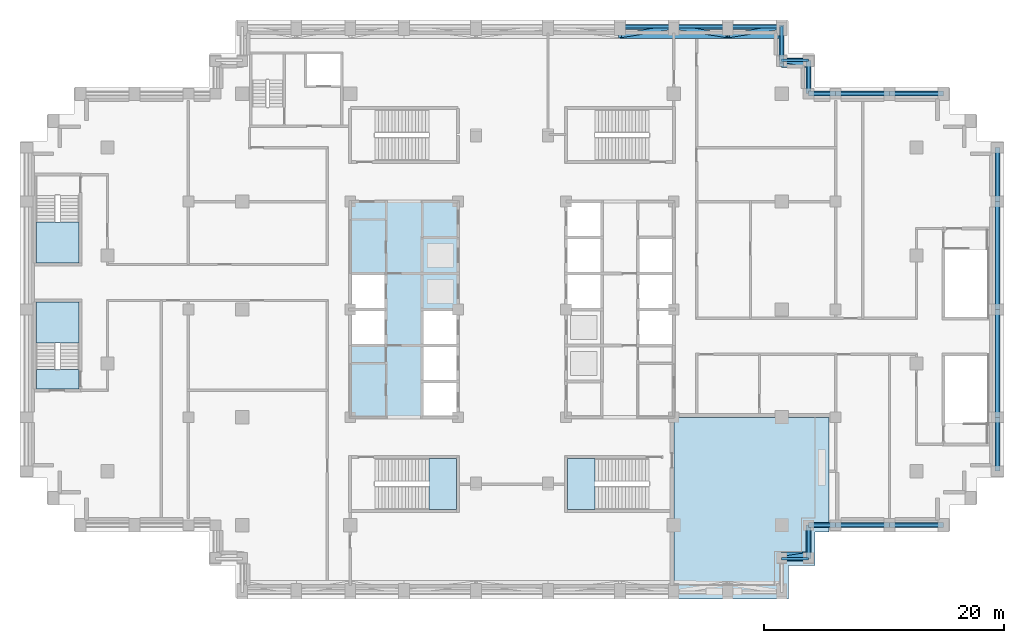
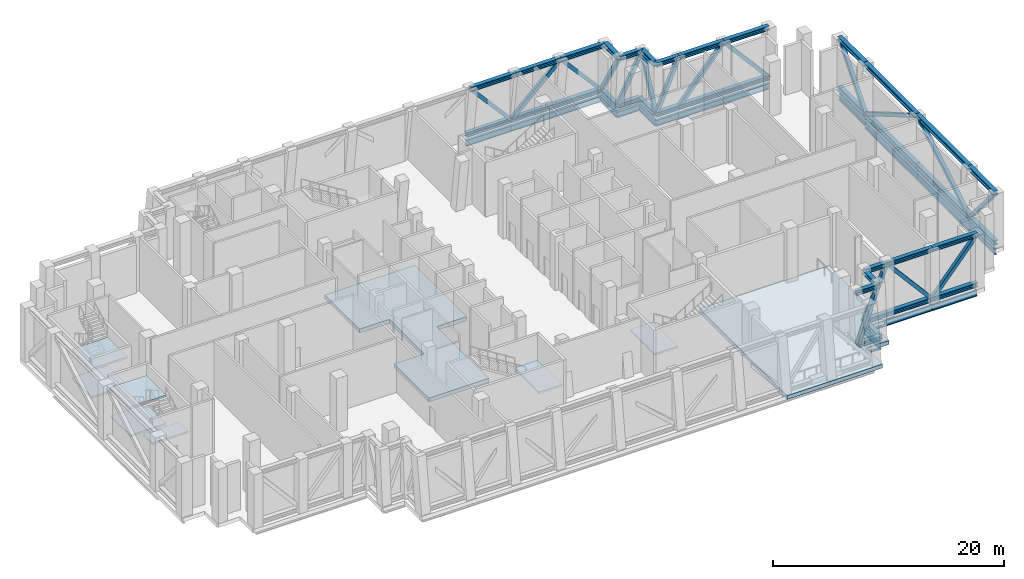
# One storey, part 3 of 14: 54 members, 18 beams, 9 slabs, 4 elements without a shape of their own.
"""IFC4 building model written with IfcOpenShell, lengths in metres."""

from ifc_helpers import new_model, si_unit, direction, frame, origin, origin_2d, place, context, subcontext, project, spatial, polyline, hollow_rectangle, i_section, outline, extrude, material, layer, layer_set, material_profile, profile_set, type_object, element, aggregate, save


model = new_model("IFC4")

# Units and contexts
model_context = context("Model", 3, precision=1e-05, world=origin(), true_north=direction((0.0, 1.0)))
body_context = subcontext(model_context, "Body", "Model", "MODEL_VIEW")
ifc_project = project(units=[si_unit("LENGTHUNIT", "METRE"), si_unit("AREAUNIT", "SQUARE_METRE"), si_unit("VOLUMEUNIT", "CUBIC_METRE"), si_unit("PLANEANGLEUNIT", "RADIAN"), si_unit("MASSUNIT", "GRAM", prefix="KILO")], contexts=[model_context])

# Site, building, storey
site_placement = place(None, origin())
site = spatial("IfcSite", under=ifc_project, at=site_placement, CompositionType="ELEMENT")
building_placement = place(site_placement, origin())
building = spatial("IfcBuilding", under=site, at=building_placement, Name="Corbelhall Arena Tower", CompositionType="ELEMENT")
storey_placement = place(building_placement, frame((0.0, 0.0, 178.0)))
storey = spatial("IfcBuildingStorey", under=building, at=storey_placement, Name="L36", CompositionType="ELEMENT", Elevation=178.0)

# Members
ifc_material_1 = material(Name="Steel ASTM A913 Gr65", Category="steel")
ifc_material_profile_1 = material_profile(ifc_material_1, i_section(OverallWidth=0.421630859375, OverallDepth=0.46484375, WebThickness=0.044921875, FlangeThickness=0.072509765625, at=origin_2d()))
ifc_profile_set_1 = profile_set([ifc_material_profile_1], Name="Steel ASTM A913 Gr65")
member_type_1 = type_object("IfcMemberType", Name="ST-CHORD-W14x398", PredefinedType="CHORD", material=ifc_profile_set_1)
for number, where, z_axis, x_axis, name in (
    (1, (40.5, 0.0, 0.232421875), (0.0, -1.0, 0.0), (1.0, 0.0, 0.0), "Truss chord BC 8"),
    (2, (40.5, 0.0, 5.487548828125), (0.0, -1.0, 0.0), (1.0, 0.0, 0.0), "Truss chord TC 8"),
    (3, (40.5, 9.0, 0.232421875), (0.0, -1.0, 0.0), (1.0, 0.0, 0.0), "Truss chord BC 9"),
    (4, (40.5, 9.0, 5.487548828125), (0.0, -1.0, 0.0), (1.0, 0.0, 0.0), "Truss chord TC 9"),
):
    element("IfcMember", number, at=place(storey_placement, frame(where, z_axis=z_axis, x_axis=x_axis)), inside=storey, type_object=member_type_1, Name=name, PredefinedType="CHORD", context=body_context, shape_type="SweptSolid", body=[
        extrude(i_section(OverallWidth=0.421630859375, OverallDepth=0.46484375, WebThickness=0.044921875, FlangeThickness=0.072509765625, at=origin_2d()), origin(), (0.0, 0.0, 1.0), 9.0),
    ])
for number, where, z_axis, x_axis, name in (
    (5, (40.5, 13.5, 0.232421875), (0.0, -1.0, 0.0), (1.0, 0.0, 0.0), "Truss chord BC 10"),
    (6, (40.5, 13.5, 5.487548828125), (0.0, -1.0, 0.0), (1.0, 0.0, 0.0), "Truss chord TC 10"),
    (7, (40.5, -9.0, 0.232421875), (0.0, -1.0, 0.0), (1.0, 0.0, 0.0), "Truss chord BC 11"),
    (8, (40.5, -9.0, 5.487548828125), (0.0, -1.0, 0.0), (1.0, 0.0, 0.0), "Truss chord TC 11"),
    (9, (31.5, 18.0, 0.232421875), (1.0, 0.0, 0.0), (0.0, 1.0, 0.0), "Truss chord BC 12"),
    (10, (31.5, 18.0, 5.487548828125), (1.0, 0.0, 0.0), (0.0, 1.0, 0.0), "Truss chord TC 12"),
    (11, (31.5, -18.0, 0.232421875), (-1.0, 0.0, 0.0), (0.0, -1.0, 0.0), "Truss chord BC 13"),
    (12, (31.5, -18.0, 5.487548828125), (-1.0, 0.0, 0.0), (0.0, -1.0, 0.0), "Truss chord TC 13"),
    (13, (36.0, -18.0, 0.232421875), (-1.0, 0.0, 0.0), (0.0, -1.0, 0.0), "Truss chord BC 14"),
    (14, (36.0, -18.0, 5.487548828125), (-1.0, 0.0, 0.0), (0.0, -1.0, 0.0), "Truss chord TC 14"),
    (15, (27.0, 18.0, 0.232421875), (1.0, 0.0, 0.0), (0.0, 1.0, 0.0), "Truss chord BC 15"),
    (16, (27.0, 18.0, 5.487548828125), (1.0, 0.0, 0.0), (0.0, 1.0, 0.0), "Truss chord TC 15"),
):
    element("IfcMember", number, at=place(storey_placement, frame(where, z_axis=z_axis, x_axis=x_axis)), inside=storey, type_object=member_type_1, Name=name, PredefinedType="CHORD", context=body_context, shape_type="SweptSolid", body=[
        extrude(i_section(OverallWidth=0.421630859375, OverallDepth=0.46484375, WebThickness=0.044921875, FlangeThickness=0.072509765625, at=origin_2d()), origin(), (0.0, 0.0, 1.0), 4.5),
    ])
for number, where, z_axis, x_axis, name in (
    (17, (27.0, -18.0, 0.232421875), (-1.0, 0.0, 0.0), (0.0, -1.0, 0.0), "Truss chord BC 16"),
    (18, (27.0, -18.0, 5.487548828125), (-1.0, 0.0, 0.0), (0.0, -1.0, 0.0), "Truss chord TC 16"),
):
    element("IfcMember", number, at=place(storey_placement, frame(where, z_axis=z_axis, x_axis=x_axis)), inside=storey, type_object=member_type_1, Name=name, PredefinedType="CHORD", context=body_context, shape_type="SweptSolid", body=[
        extrude(i_section(OverallWidth=0.421630859375, OverallDepth=0.46484375, WebThickness=0.044921875, FlangeThickness=0.072509765625, at=origin_2d()), origin(), (0.0, 0.0, 1.0), 2.25),
    ])
for number, where, z_axis, x_axis, name in (
    (19, (9.0, 23.5673828125, 0.232421875), (1.0, 0.0, 0.0), (0.0, 1.0, 0.0), "Truss chord BC 18"),
    (20, (9.0, 22.83251953125, 5.487548828125), (1.0, 0.0, 0.0), (0.0, 1.0, 0.0), "Truss chord TC 18"),
    (21, (13.5, 23.5673828125, 0.232421875), (1.0, 0.0, 0.0), (0.0, 1.0, 0.0), "Truss chord BC 19"),
    (22, (13.5, 22.83251953125, 5.487548828125), (1.0, 0.0, 0.0), (0.0, 1.0, 0.0), "Truss chord TC 19"),
    (23, (18.0, 23.5673828125, 0.232421875), (1.0, 0.0, 0.0), (0.0, 1.0, 0.0), "Truss chord BC 20"),
    (24, (18.0, 22.83251953125, 5.487548828125), (1.0, 0.0, 0.0), (0.0, 1.0, 0.0), "Truss chord TC 20"),
):
    element("IfcMember", number, at=place(storey_placement, frame(where, z_axis=z_axis, x_axis=x_axis)), inside=storey, type_object=member_type_1, Name=name, PredefinedType="CHORD", context=body_context, shape_type="SweptSolid", body=[
        extrude(i_section(OverallWidth=0.421630859375, OverallDepth=0.46484375, WebThickness=0.044921875, FlangeThickness=0.072509765625, at=origin_2d()), origin(), (0.0, 0.0, 1.0), 4.5),
    ])
member_1_placement = place(storey_placement, frame((22.5, 23.5673828125, 0.232421875), z_axis=(0.0, -1.0, 0.0), x_axis=(1.0, 0.0, 0.0)))
element("IfcMember", 25, at=member_1_placement, inside=storey, type_object=member_type_1, Name="Truss chord BC 21", PredefinedType="CHORD", context=body_context, shape_type="SweptSolid", body=[
    extrude(i_section(OverallWidth=0.421630859375, OverallDepth=0.46484375, WebThickness=0.044921875, FlangeThickness=0.072509765625, at=origin_2d()), origin(), (0.0, 0.0, 1.0), 2.78369140625),
])
member_2_placement = place(storey_placement, frame((22.5, 22.83251953125, 5.487548828125), z_axis=(0.0, -1.0, 0.0), x_axis=(1.0, 0.0, 0.0)))
element("IfcMember", 26, at=member_2_placement, inside=storey, type_object=member_type_1, Name="Truss chord TC 21", PredefinedType="CHORD", context=body_context, shape_type="SweptSolid", body=[
    extrude(i_section(OverallWidth=0.421630859375, OverallDepth=0.46484375, WebThickness=0.044921875, FlangeThickness=0.072509765625, at=origin_2d()), origin(), (0.0, 0.0, 1.0), 2.416259765625),
])
for number, where, z_axis, x_axis, name in (
    (27, (22.5, 20.78369140625, 0.232421875), (1.0, 0.0, 0.0), (0.0, 1.0, 0.0), "Truss chord BC 39"),
    (28, (22.5, 20.416259765625, 5.487548828125), (1.0, 0.0, 0.0), (0.0, 1.0, 0.0), "Truss chord TC 39"),
):
    element("IfcMember", number, at=place(storey_placement, frame(where, z_axis=z_axis, x_axis=x_axis)), inside=storey, type_object=member_type_1, Name=name, PredefinedType="CHORD", context=body_context, shape_type="SweptSolid", body=[
        extrude(i_section(OverallWidth=0.421630859375, OverallDepth=0.46484375, WebThickness=0.044921875, FlangeThickness=0.072509765625, at=origin_2d()), origin(), (0.0, 0.0, 1.0), 2.25),
    ])
member_3_placement = place(storey_placement, frame((24.75, 20.78369140625, 0.232421875), z_axis=(0.0, -1.0, 0.0), x_axis=(1.0, 0.0, 0.0)))
element("IfcMember", 29, at=member_3_placement, inside=storey, type_object=member_type_1, Name="Truss chord BC 40", PredefinedType="CHORD", context=body_context, shape_type="SweptSolid", body=[
    extrude(i_section(OverallWidth=0.421630859375, OverallDepth=0.46484375, WebThickness=0.044921875, FlangeThickness=0.072509765625, at=origin_2d()), origin(), (0.0, 0.0, 1.0), 2.78369140625),
])
member_4_placement = place(storey_placement, frame((24.75, 20.416259765625, 5.487548828125), z_axis=(0.0, -1.0, 0.0), x_axis=(1.0, 0.0, 0.0)))
element("IfcMember", 30, at=member_4_placement, inside=storey, type_object=member_type_1, Name="Truss chord TC 40", PredefinedType="CHORD", context=body_context, shape_type="SweptSolid", body=[
    extrude(i_section(OverallWidth=0.421630859375, OverallDepth=0.46484375, WebThickness=0.044921875, FlangeThickness=0.072509765625, at=origin_2d()), origin(), (0.0, 0.0, 1.0), 2.416259765625),
])
for number, where, z_axis, x_axis, name in (
    (31, (24.75, 18.0, 0.232421875), (1.0, 0.0, 0.0), (0.0, 1.0, 0.0), "Truss chord BC 41"),
    (32, (24.75, 18.0, 5.487548828125), (1.0, 0.0, 0.0), (0.0, 1.0, 0.0), "Truss chord TC 41"),
    (33, (24.75, -20.784423828125, 0.232421875), (-1.0, 0.0, 0.0), (0.0, -1.0, 0.0), "Truss chord BC 46"),
    (34, (24.75, -20.43408203125, 5.487548828125), (-1.0, 0.0, 0.0), (0.0, -1.0, 0.0), "Truss chord TC 46"),
):
    element("IfcMember", number, at=place(storey_placement, frame(where, z_axis=z_axis, x_axis=x_axis)), inside=storey, type_object=member_type_1, Name=name, PredefinedType="CHORD", context=body_context, shape_type="SweptSolid", body=[
        extrude(i_section(OverallWidth=0.421630859375, OverallDepth=0.46484375, WebThickness=0.044921875, FlangeThickness=0.072509765625, at=origin_2d()), origin(), (0.0, 0.0, 1.0), 2.25),
    ])
member_5_placement = place(storey_placement, frame((24.75, -18.0, 0.232421875), z_axis=(0.0, -1.0, 0.0), x_axis=(1.0, 0.0, 0.0)))
element("IfcMember", 35, at=member_5_placement, inside=storey, type_object=member_type_1, Name="Truss chord BC 47", PredefinedType="CHORD", context=body_context, shape_type="SweptSolid", body=[
    extrude(i_section(OverallWidth=0.421630859375, OverallDepth=0.46484375, WebThickness=0.044921875, FlangeThickness=0.072509765625, at=origin_2d()), origin(), (0.0, 0.0, 1.0), 2.784423828125),
])
member_6_placement = place(storey_placement, frame((24.75, -18.0, 5.487548828125), z_axis=(0.0, -1.0, 0.0), x_axis=(1.0, 0.0, 0.0)))
element("IfcMember", 36, at=member_6_placement, inside=storey, type_object=member_type_1, Name="Truss chord TC 47", PredefinedType="CHORD", context=body_context, shape_type="SweptSolid", body=[
    extrude(i_section(OverallWidth=0.421630859375, OverallDepth=0.46484375, WebThickness=0.044921875, FlangeThickness=0.072509765625, at=origin_2d()), origin(), (0.0, 0.0, 1.0), 2.43408203125),
])

# Beams
ifc_material_2 = material(Name="Steel ASTM A992 Gr50", Category="steel")
ifc_material_profile_2 = material_profile(ifc_material_2, i_section(OverallWidth=0.22900390625, OverallDepth=0.612060546875, WebThickness=0.011962890625, FlangeThickness=0.01953125, at=origin_2d()))
ifc_profile_set_2 = profile_set([ifc_material_profile_2], Name="Steel ASTM A992 Gr50")
beam_type_1 = type_object("IfcBeamType", Name="ST-SPANDREL-W24x84", PredefinedType="SPANDREL", material=ifc_profile_set_2)
for number, where, z_axis, x_axis, name in (
    (37, (40.5, 13.5, -0.716064453125), (0.0, -1.0, 0.0), (1.0, 0.0, 0.0), "Beam SP 10"),
    (38, (40.5, -9.0, -0.716064453125), (0.0, -1.0, 0.0), (1.0, 0.0, 0.0), "Beam SP 11"),
    (39, (31.5, 18.0, -0.716064453125), (1.0, 0.0, 0.0), (0.0, 1.0, 0.0), "Beam SP 12"),
    (40, (31.5, -18.0, -0.716064453125), (-1.0, 0.0, 0.0), (0.0, -1.0, 0.0), "Beam SP 13"),
    (41, (36.0, -18.0, -0.716064453125), (-1.0, 0.0, 0.0), (0.0, -1.0, 0.0), "Beam SP 14"),
    (42, (27.0, 18.0, -0.716064453125), (1.0, 0.0, 0.0), (0.0, 1.0, 0.0), "Beam SP 15"),
):
    element("IfcBeam", number, at=place(storey_placement, frame(where, z_axis=z_axis, x_axis=x_axis)), inside=storey, type_object=beam_type_1, Name=name, PredefinedType="SPANDREL", context=body_context, shape_type="SweptSolid", body=[
        extrude(i_section(OverallWidth=0.22900390625, OverallDepth=0.612060546875, WebThickness=0.011962890625, FlangeThickness=0.01953125, at=origin_2d()), origin(), (0.0, 0.0, 1.0), 4.5),
    ])
beam_1_placement = place(storey_placement, frame((27.0, -18.0, -0.716064453125), z_axis=(-1.0, 0.0, 0.0), x_axis=(0.0, -1.0, 0.0)))
element("IfcBeam", 43, at=beam_1_placement, inside=storey, type_object=beam_type_1, Name="Beam SP 16", PredefinedType="SPANDREL", context=body_context, shape_type="SweptSolid", body=[
    extrude(i_section(OverallWidth=0.22900390625, OverallDepth=0.612060546875, WebThickness=0.011962890625, FlangeThickness=0.01953125, at=origin_2d()), origin(), (0.0, 0.0, 1.0), 2.25),
])
for number, where, z_axis, x_axis, name in (
    (44, (9.0, 23.60009765625, -0.716064453125), (1.0, 0.0, 0.0), (0.0, 1.0, 0.0), "Beam SP 18"),
    (45, (13.5, 23.60009765625, -0.716064453125), (1.0, 0.0, 0.0), (0.0, 1.0, 0.0), "Beam SP 19"),
    (46, (18.0, 23.60009765625, -0.716064453125), (1.0, 0.0, 0.0), (0.0, 1.0, 0.0), "Beam SP 20"),
):
    element("IfcBeam", number, at=place(storey_placement, frame(where, z_axis=z_axis, x_axis=x_axis)), inside=storey, type_object=beam_type_1, Name=name, PredefinedType="SPANDREL", context=body_context, shape_type="SweptSolid", body=[
        extrude(i_section(OverallWidth=0.22900390625, OverallDepth=0.612060546875, WebThickness=0.011962890625, FlangeThickness=0.01953125, at=origin_2d()), origin(), (0.0, 0.0, 1.0), 4.5),
    ])
beam_2_placement = place(storey_placement, frame((22.5, 23.60009765625, -0.716064453125), z_axis=(0.0, -1.0, 0.0), x_axis=(1.0, 0.0, 0.0)))
element("IfcBeam", 47, at=beam_2_placement, inside=storey, type_object=beam_type_1, Name="Beam SP 21", PredefinedType="SPANDREL", context=body_context, shape_type="SweptSolid", body=[
    extrude(i_section(OverallWidth=0.22900390625, OverallDepth=0.612060546875, WebThickness=0.011962890625, FlangeThickness=0.01953125, at=origin_2d()), origin(), (0.0, 0.0, 1.0), 2.800048828125),
])
beam_3_placement = place(storey_placement, frame((22.5, 20.800048828125, -0.716064453125), z_axis=(1.0, 0.0, 0.0), x_axis=(0.0, 1.0, 0.0)))
element("IfcBeam", 48, at=beam_3_placement, inside=storey, type_object=beam_type_1, Name="Beam SP 39", PredefinedType="SPANDREL", context=body_context, shape_type="SweptSolid", body=[
    extrude(i_section(OverallWidth=0.22900390625, OverallDepth=0.612060546875, WebThickness=0.011962890625, FlangeThickness=0.01953125, at=origin_2d()), origin(), (0.0, 0.0, 1.0), 2.25),
])
beam_4_placement = place(storey_placement, frame((24.75, 20.800048828125, -0.716064453125), z_axis=(0.0, -1.0, 0.0), x_axis=(1.0, 0.0, 0.0)))
element("IfcBeam", 49, at=beam_4_placement, inside=storey, type_object=beam_type_1, Name="Beam SP 40", PredefinedType="SPANDREL", context=body_context, shape_type="SweptSolid", body=[
    extrude(i_section(OverallWidth=0.22900390625, OverallDepth=0.612060546875, WebThickness=0.011962890625, FlangeThickness=0.01953125, at=origin_2d()), origin(), (0.0, 0.0, 1.0), 2.800048828125),
])
for number, where, z_axis, x_axis, name in (
    (50, (24.75, 18.0, -0.716064453125), (1.0, 0.0, 0.0), (0.0, 1.0, 0.0), "Beam SP 41"),
    (51, (24.75, -20.800048828125, -0.716064453125), (-1.0, 0.0, 0.0), (0.0, -1.0, 0.0), "Beam SP 46"),
):
    element("IfcBeam", number, at=place(storey_placement, frame(where, z_axis=z_axis, x_axis=x_axis)), inside=storey, type_object=beam_type_1, Name=name, PredefinedType="SPANDREL", context=body_context, shape_type="SweptSolid", body=[
        extrude(i_section(OverallWidth=0.22900390625, OverallDepth=0.612060546875, WebThickness=0.011962890625, FlangeThickness=0.01953125, at=origin_2d()), origin(), (0.0, 0.0, 1.0), 2.25),
    ])
beam_5_placement = place(storey_placement, frame((24.75, -18.0, -0.716064453125), z_axis=(0.0, -1.0, 0.0), x_axis=(1.0, 0.0, 0.0)))
element("IfcBeam", 52, at=beam_5_placement, inside=storey, type_object=beam_type_1, Name="Beam SP 47", PredefinedType="SPANDREL", context=body_context, shape_type="SweptSolid", body=[
    extrude(i_section(OverallWidth=0.22900390625, OverallDepth=0.612060546875, WebThickness=0.011962890625, FlangeThickness=0.01953125, at=origin_2d()), origin(), (0.0, 0.0, 1.0), 2.800048828125),
])
ifc_material_profile_3 = material_profile(ifc_material_2, i_section(OverallWidth=0.2919921875, OverallDepth=0.845703125, WebThickness=0.015380859375, FlangeThickness=0.0244140625, at=origin_2d()))
ifc_profile_set_3 = profile_set([ifc_material_profile_3], Name="Steel ASTM A992 Gr50")
beam_type_2 = type_object("IfcBeamType", Name="ST-SPANDREL-W33x141", PredefinedType="SPANDREL", material=ifc_profile_set_3)
for number, where, z_axis, x_axis, name in (
    (53, (40.5, 0.0, -0.8330078125), (0.0, -1.0, 0.0), (1.0, 0.0, 0.0), "Beam SP 8"),
    (54, (40.5, 9.0, -0.8330078125), (0.0, -1.0, 0.0), (1.0, 0.0, 0.0), "Beam SP 9"),
):
    element("IfcBeam", number, at=place(storey_placement, frame(where, z_axis=z_axis, x_axis=x_axis)), inside=storey, type_object=beam_type_2, Name=name, PredefinedType="SPANDREL", context=body_context, shape_type="SweptSolid", body=[
        extrude(i_section(OverallWidth=0.2919921875, OverallDepth=0.845703125, WebThickness=0.015380859375, FlangeThickness=0.0244140625, at=origin_2d()), origin(), (0.0, 0.0, 1.0), 9.0),
    ])

# Members
ifc_material_3 = material(Name="Steel ASTM A500 Gr C", Category="steel")
ifc_material_profile_4 = material_profile(ifc_material_3, hollow_rectangle(XDim=0.355712890625, YDim=0.355712890625, WallThickness=0.0146484375, at=origin_2d()))
ifc_profile_set_4 = profile_set([ifc_material_profile_4], Name="Steel ASTM A500 Gr C")
member_type_2 = type_object("IfcMemberType", Name="ST-STRUT-HSS14x14x5/8", PredefinedType="STRUT", material=ifc_profile_set_4)
for number, where, z_axis, x_axis, name in (
    (55, (40.5, -9.0, 0.232421875), (0.0, 0.863564714517, 0.504238023003), (-1.0, 0.0, 0.0), "Truss diagonal 8"),
    (56, (40.5, 9.0, 0.232421875), (0.0, -0.863564714517, 0.504238023003), (1.0, 0.0, 0.0), "Truss diagonal 9"),
):
    element("IfcMember", number, at=place(storey_placement, frame(where, z_axis=z_axis, x_axis=x_axis)), inside=storey, type_object=member_type_2, Name=name, PredefinedType="STRUT", context=body_context, shape_type="SweptSolid", body=[
        extrude(hollow_rectangle(XDim=0.355712890625, YDim=0.355712890625, WallThickness=0.0146484375, at=origin_2d()), origin(), (0.0, 0.0, 1.0), 10.421875),
    ])
for number, where, z_axis, x_axis, name in (
    (57, (40.5, 9.0, 0.232421875), (0.0, 0.650425134729, 0.759570368112), (-1.0, 0.0, 0.0), "Truss diagonal 10"),
    (58, (40.5, -9.0, 0.232421875), (0.0, -0.650425134729, 0.759570368112), (1.0, 0.0, 0.0), "Truss diagonal 11"),
    (59, (36.0, 18.0, 0.232421875), (-0.650425134729, 0.0, 0.759570368112), (0.0, -1.0, 0.0), "Truss diagonal 12"),
    (60, (31.5, -18.0, 0.232421875), (-0.650425134729, 0.0, 0.759570368112), (0.0, -1.0, 0.0), "Truss diagonal 13"),
    (61, (31.5, -18.0, 0.232421875), (0.650425134729, 0.0, 0.759570368112), (0.0, 1.0, 0.0), "Truss diagonal 14"),
    (62, (27.0, 18.0, 0.232421875), (0.650425134729, 0.0, 0.759570368112), (0.0, 1.0, 0.0), "Truss diagonal 15"),
):
    element("IfcMember", number, at=place(storey_placement, frame(where, z_axis=z_axis, x_axis=x_axis)), inside=storey, type_object=member_type_2, Name=name, PredefinedType="STRUT", context=body_context, shape_type="SweptSolid", body=[
        extrude(hollow_rectangle(XDim=0.355712890625, YDim=0.355712890625, WallThickness=0.0146484375, at=origin_2d()), origin(), (0.0, 0.0, 1.0), 6.91845703125),
    ])
member_7_placement = place(storey_placement, frame((24.75, -18.0, 0.232421875), z_axis=(0.39359454789, 0.0, 0.919284140987), x_axis=(0.0, 1.0, 0.0)))
element("IfcMember", 63, at=member_7_placement, inside=storey, type_object=member_type_2, Name="Truss diagonal 16", PredefinedType="STRUT", context=body_context, shape_type="SweptSolid", body=[
    extrude(hollow_rectangle(XDim=0.355712890625, YDim=0.355712890625, WallThickness=0.0146484375, at=origin_2d()), origin(), (0.0, 0.0, 1.0), 5.716552734375),
])
for number, where, z_axis, x_axis, name in (
    (64, (13.5, 23.5673828125, 0.232421875), (-0.646786871382, -0.105622205016, 0.755321582384), (0.161168087298, -0.986926971785, 0.0), "Truss diagonal 18"),
    (65, (13.5, 23.5673828125, 0.232421875), (0.646786871382, -0.105622205016, 0.755321582384), (0.161168087298, 0.986926971785, 0.0), "Truss diagonal 19"),
    (66, (22.5, 23.5673828125, 0.232421875), (-0.646786871382, -0.105622205016, 0.755321582384), (0.161168087298, -0.986926971785, 0.0), "Truss diagonal 20"),
):
    element("IfcMember", number, at=place(storey_placement, frame(where, z_axis=z_axis, x_axis=x_axis)), inside=storey, type_object=member_type_2, Name=name, PredefinedType="STRUT", context=body_context, shape_type="SweptSolid", body=[
        extrude(hollow_rectangle(XDim=0.355712890625, YDim=0.355712890625, WallThickness=0.0146484375, at=origin_2d()), origin(), (0.0, 0.0, 1.0), 6.95751953125),
    ])
member_8_placement = place(storey_placement, frame((22.5, 23.5673828125, 0.232421875), z_axis=(0.0, -0.514261362084, 0.857633518158), x_axis=(1.0, 0.0, 0.0)))
element("IfcMember", 67, at=member_8_placement, inside=storey, type_object=member_type_2, Name="Truss diagonal 21", PredefinedType="STRUT", context=body_context, shape_type="SweptSolid", body=[
    extrude(hollow_rectangle(XDim=0.355712890625, YDim=0.355712890625, WallThickness=0.0146484375, at=origin_2d()), origin(), (0.0, 0.0, 1.0), 6.12744140625),
])
member_9_placement = place(storey_placement, frame((22.5, 20.78369140625, 0.232421875), z_axis=(0.392784030782, -0.064142791485, 0.917391087521), x_axis=(0.161168087298, 0.986926971785, 0.0)))
element("IfcMember", 68, at=member_9_placement, inside=storey, type_object=member_type_2, Name="Truss diagonal 39", PredefinedType="STRUT", context=body_context, shape_type="SweptSolid", body=[
    extrude(hollow_rectangle(XDim=0.355712890625, YDim=0.355712890625, WallThickness=0.0146484375, at=origin_2d()), origin(), (0.0, 0.0, 1.0), 5.728271484375),
])
member_10_placement = place(storey_placement, frame((24.75, 18.0, 0.232421875), z_axis=(0.0, 0.417748831301, 0.908562553678), x_axis=(-1.0, 0.0, 0.0)))
element("IfcMember", 69, at=member_10_placement, inside=storey, type_object=member_type_2, Name="Truss diagonal 40", PredefinedType="STRUT", context=body_context, shape_type="SweptSolid", body=[
    extrude(hollow_rectangle(XDim=0.355712890625, YDim=0.355712890625, WallThickness=0.0146484375, at=origin_2d()), origin(), (0.0, 0.0, 1.0), 5.783935546875),
])
member_11_placement = place(storey_placement, frame((24.75, 18.0, 0.232421875), z_axis=(0.39359454789, 0.0, 0.919284140987), x_axis=(0.0, 1.0, 0.0)))
element("IfcMember", 70, at=member_11_placement, inside=storey, type_object=member_type_2, Name="Truss diagonal 41", PredefinedType="STRUT", context=body_context, shape_type="SweptSolid", body=[
    extrude(hollow_rectangle(XDim=0.355712890625, YDim=0.355712890625, WallThickness=0.0146484375, at=origin_2d()), origin(), (0.0, 0.0, 1.0), 5.716552734375),
])
member_12_placement = place(storey_placement, frame((22.5, -20.784423828125, 0.232421875), z_axis=(0.392857467574, 0.061170840491, 0.917562607371), x_axis=(-0.153853559361, 0.988093660678, 0.0)))
element("IfcMember", 71, at=member_12_placement, inside=storey, type_object=member_type_2, Name="Truss diagonal 46", PredefinedType="STRUT", context=body_context, shape_type="SweptSolid", body=[
    extrude(hollow_rectangle(XDim=0.355712890625, YDim=0.355712890625, WallThickness=0.0146484375, at=origin_2d()), origin(), (0.0, 0.0, 1.0), 5.727294921875),
])
member_13_placement = place(storey_placement, frame((24.75, -18.0, 0.232421875), z_axis=(0.0, -0.420287491589, 0.907390998641), x_axis=(1.0, 0.0, 0.0)))
element("IfcMember", 72, at=member_13_placement, inside=storey, type_object=member_type_2, Name="Truss diagonal 47", PredefinedType="STRUT", context=body_context, shape_type="SweptSolid", body=[
    extrude(hollow_rectangle(XDim=0.355712890625, YDim=0.355712890625, WallThickness=0.0146484375, at=origin_2d()), origin(), (0.0, 0.0, 1.0), 5.79150390625),
])

# Slab
ifc_material_4 = material(Name="Concrete C40/50", Category="concrete")
ifc_layer_1 = layer(ifc_material_4, 0.300048828125)
ifc_layer_set_1 = layer_set([ifc_layer_1], Name="IN-SL-CORE")
slab_type_1 = type_object("IfcSlabType", Name="IN-SL-CORE", PredefinedType="FLOOR", material=ifc_layer_set_1)
slab_1_placement = place(storey_placement, frame((0.0, 0.0, -0.409912109375)))
element("IfcSlab", 73, at=slab_1_placement, inside=storey, type_object=slab_type_1, Name="Core floor W", PredefinedType="FLOOR", context=body_context, shape_type="SweptSolid", body=[
    extrude(outline(polyline([(-7.5, 0.0), (-4.5, 0.0), (-4.5, 9.0), (-13.5, 9.0), (-13.5, 3.0), (-10.5, 3.0), (-10.5, 0.0), (-10.5, -3.0), (-13.5, -3.0), (-13.5, -9.0), (-7.5, -9.0), (-7.5, -6.0), (-7.5, -3.0), (-7.5, 0.0)])), origin(), (0.0, 0.0, 1.0), 0.409912109375),
])

# Stair, slab
stair_type = type_object("IfcStairType", Name="IN-ST-TOWER", PredefinedType="HALF_TURN_STAIR", material=ifc_material_4)
stair_1_placement = place(storey_placement, origin())
stair_1 = element("IfcStair", 74, at=stair_1_placement, inside=storey, type_object=stair_type, Name="L36 Exit stair ST2", PredefinedType="HALF_TURN_STAIR")
ifc_layer_2 = layer(ifc_material_4, 0.199951171875)
ifc_layer_set_2 = layer_set([ifc_layer_2], Name="IN-SL-LANDING")
slab_type_2 = type_object("IfcSlabType", Name="IN-SL-LANDING", PredefinedType="LANDING", material=ifc_layer_set_2)
slab_2_placement = place(storey_placement, frame((0.0, 0.0, 2.800048828125)))
slab_2 = element("IfcSlab", 75, at=slab_2_placement, type_object=slab_type_2, Name="ST2 landing 1", PredefinedType="LANDING", context=body_context, shape_type="SweptSolid", body=[
    extrude(outline(polyline([(-6.945068359375, -16.675048828125), (-4.625, -16.675048828125), (-4.625, -12.425048828125), (-6.945068359375, -12.425048828125), (-6.945068359375, -16.675048828125)])), origin(), (0.0, 0.0, 1.0), 0.199951171875),
])
aggregate(stair_1, [slab_2])

stair_2_placement = place(storey_placement, origin())
stair_2 = element("IfcStair", 76, at=stair_2_placement, inside=storey, type_object=stair_type, Name="L36 Exit stair ST4", PredefinedType="HALF_TURN_STAIR")
slab_3_placement = place(storey_placement, frame((0.0, 0.0, 2.800048828125)))
slab_3 = element("IfcSlab", 77, at=slab_3_placement, type_object=slab_type_2, Name="ST4 landing 1", PredefinedType="LANDING", context=body_context, shape_type="SweptSolid", body=[
    extrude(outline(polyline([(6.945068359375, -12.425048828125), (4.625, -12.425048828125), (4.625, -16.675048828125), (6.945068359375, -16.675048828125), (6.945068359375, -12.425048828125)])), origin(), (0.0, 0.0, 1.0), 0.199951171875),
])
aggregate(stair_2, [slab_3])

# Stair, slabs
stair_3_placement = place(storey_placement, origin())
stair_3 = element("IfcStair", 78, at=stair_3_placement, inside=storey, type_object=stair_type, Name="L36 Exit stair SC1", PredefinedType="HALF_TURN_STAIR")
slab_4_placement = place(storey_placement, frame((0.0, 0.0, 1.300048828125)))
slab_4 = element("IfcSlab", 79, at=slab_4_placement, type_object=slab_type_2, Name="SC1 landing 1", PredefinedType="LANDING", context=body_context, shape_type="SweptSolid", body=[
    extrude(outline(polyline([(-39.699951171875, 7.284912109375), (-39.699951171875, 3.875), (-36.125, 3.875), (-36.125, 7.284912109375), (-39.699951171875, 7.284912109375)])), origin(), (0.0, 0.0, 1.0), 0.199951171875),
])
slab_5_placement = place(storey_placement, frame((0.0, 0.0, 4.300048828125)))
slab_5 = element("IfcSlab", 80, at=slab_5_placement, type_object=slab_type_2, Name="SC1 landing 3", PredefinedType="LANDING", context=body_context, shape_type="SweptSolid", body=[
    extrude(outline(polyline([(-39.699951171875, 7.284912109375), (-39.699951171875, 3.875), (-36.125, 3.875), (-36.125, 7.284912109375), (-39.699951171875, 7.284912109375)])), origin(), (0.0, 0.0, 1.0), 0.199951171875),
])
aggregate(stair_3, [slab_4, slab_5])

stair_4_placement = place(storey_placement, origin())
stair_4 = element("IfcStair", 81, at=stair_4_placement, inside=storey, type_object=stair_type, Name="L36 Exit stair SC2", PredefinedType="HALF_TURN_STAIR")
slab_6_placement = place(storey_placement, frame((0.0, 0.0, 1.300048828125)))
slab_6 = element("IfcSlab", 82, at=slab_6_placement, type_object=slab_type_2, Name="SC2 landing 1", PredefinedType="LANDING", context=body_context, shape_type="SweptSolid", body=[
    extrude(outline(polyline([(-36.125, -2.784912109375), (-36.125, 0.625), (-39.699951171875, 0.625), (-39.699951171875, -2.784912109375), (-36.125, -2.784912109375)])), origin(), (0.0, 0.0, 1.0), 0.199951171875),
])
slab_7_placement = place(storey_placement, frame((0.0, 0.0, 2.800048828125)))
slab_7 = element("IfcSlab", 83, at=slab_7_placement, type_object=slab_type_2, Name="SC2 landing 2", PredefinedType="LANDING", context=body_context, shape_type="SweptSolid", body=[
    extrude(outline(polyline([(-36.125, -6.625), (-36.125, -5.02490234375), (-39.699951171875, -5.02490234375), (-39.699951171875, -6.625), (-36.125, -6.625)])), origin(), (0.0, 0.0, 1.0), 0.199951171875),
])
slab_8_placement = place(storey_placement, frame((0.0, 0.0, 4.300048828125)))
slab_8 = element("IfcSlab", 84, at=slab_8_placement, type_object=slab_type_2, Name="SC2 landing 3", PredefinedType="LANDING", context=body_context, shape_type="SweptSolid", body=[
    extrude(outline(polyline([(-36.125, -2.784912109375), (-36.125, 0.625), (-39.699951171875, 0.625), (-39.699951171875, -2.784912109375), (-36.125, -2.784912109375)])), origin(), (0.0, 0.0, 1.0), 0.199951171875),
])
aggregate(stair_4, [slab_6, slab_7, slab_8])

# Slab
ifc_layer_3 = layer(ifc_material_4, 0.409912109375)
ifc_layer_set_3 = layer_set([ifc_layer_3], Name="ST-SLAB-FLOOR-410")
slab_type_3 = type_object("IfcSlabType", Name="ST-SLAB-FLOOR-410", PredefinedType="FLOOR", material=ifc_layer_set_3)
slab_9_placement = place(storey_placement, frame((0.0, 0.0, -0.409912109375)))
element("IfcSlab", 85, at=slab_9_placement, inside=storey, type_object=slab_type_3, Name="Terrace slab T-L36-SE", PredefinedType="FLOOR", context=body_context, shape_type="SweptSolid", body=[
    extrude(outline(polyline([(25.300048828125, -18.550048828125), (26.449951171875, -18.550048828125), (26.449951171875, -9.0), (13.5, -9.0), (13.5, -24.14990234375), (23.050048828125, -24.14990234375), (23.050048828125, -21.35009765625), (25.300048828125, -21.35009765625), (25.300048828125, -18.550048828125)])), origin(), (0.0, 0.0, 1.0), 0.409912109375),
])

save(model, "model.ifc")
